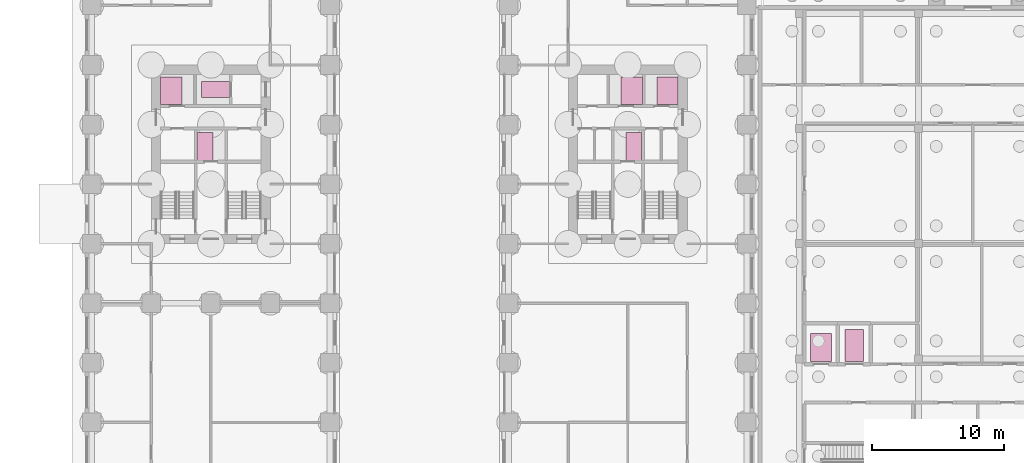
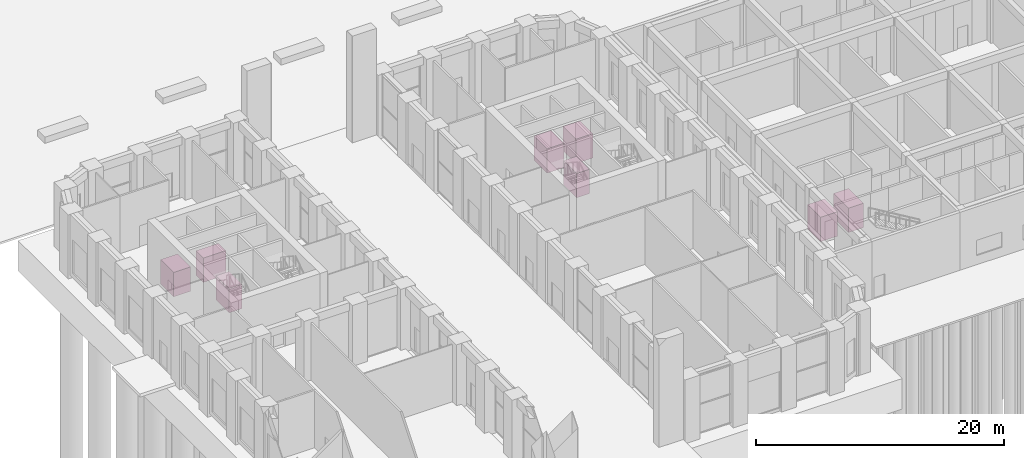
# One storey, part 30 of 31: 8 transport elements.
"""IFC4 building model written with IfcOpenShell, lengths in metres."""

from ifc_helpers import new_model, si_unit, direction, frame, origin, origin_2d, place, context, subcontext, project, spatial, rectangle, extrude, material, type_object, element, save


model = new_model("IFC4")

# Units and contexts
model_context = context("Model", 3, precision=1e-05, world=origin(), true_north=direction((0.0, 1.0)))
body_context = subcontext(model_context, "Body", "Model", "MODEL_VIEW")
ifc_project = project(units=[si_unit("LENGTHUNIT", "METRE"), si_unit("AREAUNIT", "SQUARE_METRE"), si_unit("VOLUMEUNIT", "CUBIC_METRE"), si_unit("PLANEANGLEUNIT", "RADIAN"), si_unit("MASSUNIT", "GRAM", prefix="KILO")], contexts=[model_context])

# Site, building, storey
site_placement = place(None, origin())
site = spatial("IfcSite", under=ifc_project, at=site_placement, CompositionType="ELEMENT")
building_placement = place(site_placement, origin())
building = spatial("IfcBuilding", under=site, at=building_placement, Name="Girih Gate Residences", CompositionType="ELEMENT")
storey_placement = place(building_placement, origin())
storey = spatial("IfcBuildingStorey", under=building, at=storey_placement, Name="L00", CompositionType="ELEMENT", Elevation=0.0)

# Transport elements
ifc_material_1 = material(Name="Stainless steel lift car", Category="steel")
transport_element_type_1 = type_object("IfcTransportElementType", Name="HC Bed lift", PredefinedType="ELEVATOR", material=ifc_material_1)
transport_element_1_placement = place(storey_placement, frame((57.60009765625, 19.300048828125, 0.0), z_axis=(0.0, 0.0, 1.0), x_axis=(1.0, 0.0, 0.0)))
element("IfcTransportElement", 1, at=transport_element_1_placement, inside=storey, type_object=transport_element_type_1, Name="Health centre lift 2", PredefinedType="ELEVATOR", context=body_context, shape_type="SweptSolid", body=[
    extrude(rectangle(XDim=1.39990234375, YDim=2.39990234375, at=origin_2d()), origin(), (0.0, 0.0, 1.0), 2.39990234375),
])
transport_element_type_2 = type_object("IfcTransportElementType", Name="HC Passenger lift", PredefinedType="ELEVATOR", material=ifc_material_1)
transport_element_2_placement = place(storey_placement, frame((55.10009765625, 19.14990234375, 0.0), z_axis=(0.0, 0.0, 1.0), x_axis=(1.0, 0.0, 0.0)))
element("IfcTransportElement", 2, at=transport_element_2_placement, inside=storey, type_object=transport_element_type_2, Name="Health centre lift 1", PredefinedType="ELEVATOR", context=body_context, shape_type="SweptSolid", body=[
    extrude(rectangle(XDim=1.60009765625, YDim=2.10009765625, at=origin_2d()), origin(), (0.0, 0.0, 1.0), 2.39990234375),
])
ifc_material_2 = material(Name="Stainless steel", Category="steel")
transport_element_type_3 = type_object("IfcTransportElementType", Name="Lift car 1600x2100", PredefinedType="ELEVATOR", material=ifc_material_2)
for number, where, z_axis, x_axis, name in (
    (3, (6.0, 38.550048828125, 0.0), (0.0, 0.0, 1.0), (1.0, 0.0, 0.0), "Lift LR-W1"),
    (4, (43.5, 38.550048828125, 0.0), (0.0, 0.0, 1.0), (1.0, 0.0, 0.0), "Lift LR-E1"),
    (5, (40.800048828125, 38.550048828125, 0.0), (0.0, 0.0, 1.0), (1.0, 0.0, 0.0), "Lift LR-E2"),
):
    element("IfcTransportElement", number, at=place(storey_placement, frame(where, z_axis=z_axis, x_axis=x_axis)), inside=storey, type_object=transport_element_type_3, Name=name, PredefinedType="ELEVATOR", context=body_context, shape_type="SweptSolid", body=[
        extrude(rectangle(XDim=1.60009765625, YDim=2.10009765625, at=origin_2d()), origin(), (0.0, 0.0, 1.0), 2.39990234375),
    ])
transport_element_type_4 = type_object("IfcTransportElementType", Name="Lift car firefighting 1200x2100", PredefinedType="ELEVATOR", material=ifc_material_2)
transport_element_3_placement = place(storey_placement, frame((9.35009765625, 38.64990234375, 0.0), z_axis=(0.0, 0.0, 1.0), x_axis=(1.0, 0.0, 0.0)))
element("IfcTransportElement", 6, at=transport_element_3_placement, inside=storey, type_object=transport_element_type_4, Name="Lift FF-W2", PredefinedType="ELEVATOR", context=body_context, shape_type="SweptSolid", body=[
    extrude(rectangle(XDim=2.10009765625, YDim=1.199951171875, at=origin_2d()), origin(), (0.0, 0.0, 1.0), 2.39990234375),
])
for number, where, z_axis, x_axis, name in (
    (7, (8.550048828125, 34.35009765625, 0.0), (0.0, 0.0, 1.0), (1.0, 0.0, 0.0), "Lift FF-W"),
    (8, (40.949951171875, 34.35009765625, 0.0), (0.0, 0.0, 1.0), (1.0, 0.0, 0.0), "Lift FF-E"),
):
    element("IfcTransportElement", number, at=place(storey_placement, frame(where, z_axis=z_axis, x_axis=x_axis)), inside=storey, type_object=transport_element_type_4, Name=name, PredefinedType="ELEVATOR", context=body_context, shape_type="SweptSolid", body=[
        extrude(rectangle(XDim=1.199951171875, YDim=2.10009765625, at=origin_2d()), origin(), (0.0, 0.0, 1.0), 2.39990234375),
    ])

save(model, "model.ifc")
